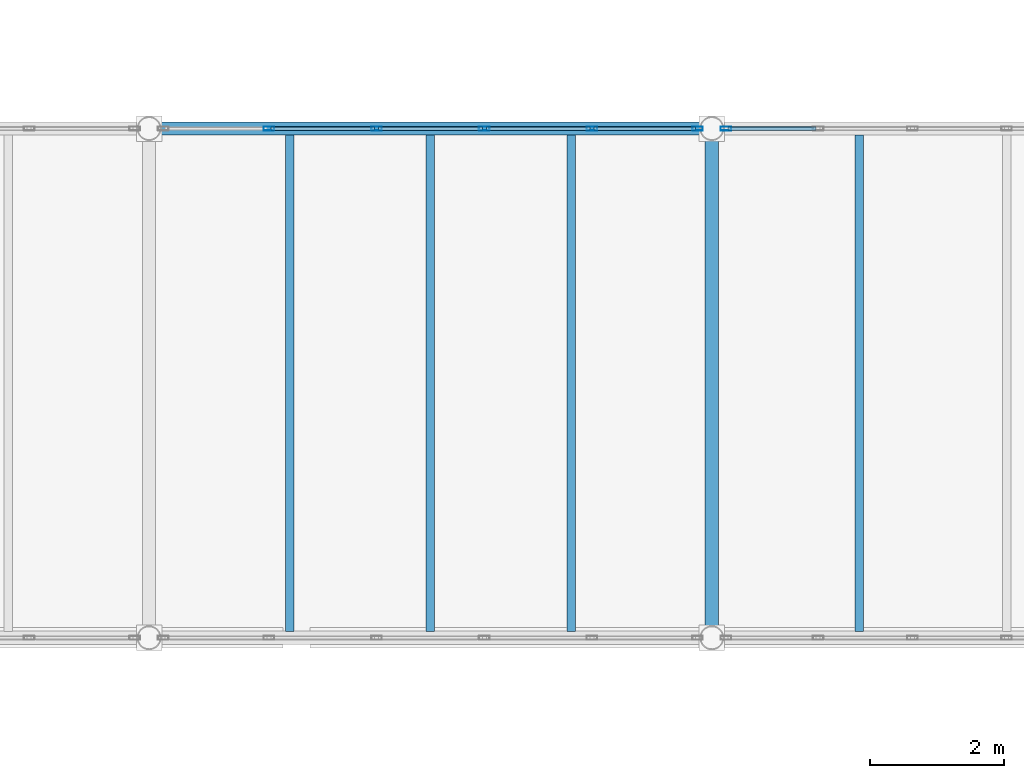
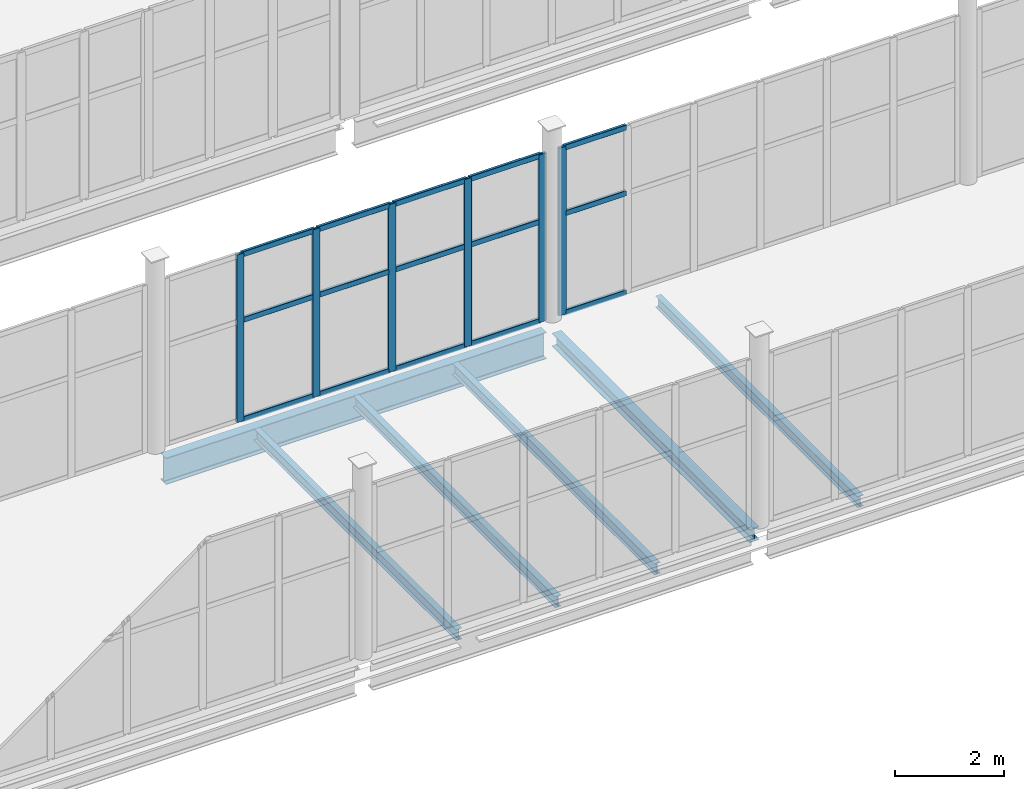
# One storey, part 52 of 172: 21 members, 6 beams, 2 elements without a shape of their own.
"""IFC4 building model written with IfcOpenShell, lengths in metres."""

from ifc_helpers import new_model, si_unit, direction, frame, origin, origin_2d, place, context, subcontext, project, spatial, hollow_rectangle, i_section, extrude, material, material_profile, profile_set, type_object, element, aggregate, save


model = new_model("IFC4")

# Units and contexts
model_context = context("Model", 3, precision=1e-05, world=origin(), true_north=direction((0.0, 1.0)))
body_context = subcontext(model_context, "Body", "Model", "MODEL_VIEW")
ifc_project = project(units=[si_unit("LENGTHUNIT", "METRE"), si_unit("AREAUNIT", "SQUARE_METRE"), si_unit("VOLUMEUNIT", "CUBIC_METRE"), si_unit("PLANEANGLEUNIT", "RADIAN"), si_unit("MASSUNIT", "GRAM", prefix="KILO")], contexts=[model_context])

# Site, building, storey
site_placement = place(None, origin())
site = spatial("IfcSite", under=ifc_project, at=site_placement, CompositionType="ELEMENT")
building_placement = place(site_placement, origin())
building = spatial("IfcBuilding", under=site, at=building_placement, Name="Shengluoqiao Park Theatre", CompositionType="ELEMENT")
storey_placement = place(building_placement, frame((0.0, 0.0, 5.39990234375)))
storey = spatial("IfcBuildingStorey", under=building, at=storey_placement, Name="L01", CompositionType="ELEMENT", Elevation=5.39990234375)

# Curtain wall, members
ifc_material_1 = material(Name="Aluminium 6063-T6", Category="aluminium")
curtain_wall_type = type_object("IfcCurtainWallType", Name="ENV-CW-BRIDGE", PredefinedType="NOTDEFINED", material=ifc_material_1)
curtain_wall_1_placement = place(storey_placement, origin())
curtain_wall_1 = element("IfcCurtainWall", 1, at=curtain_wall_1_placement, inside=storey, type_object=curtain_wall_type, Name="L01 Curtain Wall CWX-L01-0140", PredefinedType="NOTDEFINED")
ifc_material_profile_1 = material_profile(ifc_material_1, hollow_rectangle(XDim=0.06005859375, YDim=0.159912109375, WallThickness=0.00390625, InnerFilletRadius=0.00390625, OuterFilletRadius=0.008056640625, at=origin_2d()), Name="ALU MULLION 160x60x4")
ifc_profile_set_1 = profile_set([ifc_material_profile_1], Name="Aluminium 6063-T6")
member_type_1 = type_object("IfcMemberType", Name="ENV-MUL-160", PredefinedType="MULLION", material=ifc_profile_set_1)
member_1_placement = place(storey_placement, frame((79.789306640625, 60.800048828125, 0.0), z_axis=(0.0, 0.0, 1.0), x_axis=(0.0, 1.0, 0.0)))
member_1 = element("IfcMember", 2, at=member_1_placement, type_object=member_type_1, Name="CW-03 mullion 2", PredefinedType="MULLION", context=body_context, shape_type="SweptSolid", body=[
    extrude(hollow_rectangle(XDim=0.06005859375, YDim=0.159912109375, WallThickness=0.00390625, InnerFilletRadius=0.00390625, OuterFilletRadius=0.008056640625, at=origin_2d()), origin(), (0.0, 0.0, 1.0), 3.752197265625),
])
member_2_placement = place(storey_placement, frame((81.396484375, 60.800048828125, 0.0), z_axis=(0.0, 0.0, 1.0), x_axis=(0.0, 1.0, 0.0)))
member_2 = element("IfcMember", 3, at=member_2_placement, type_object=member_type_1, Name="CW-03 mullion 3", PredefinedType="MULLION", context=body_context, shape_type="SweptSolid", body=[
    extrude(hollow_rectangle(XDim=0.06005859375, YDim=0.159912109375, WallThickness=0.00390625, InnerFilletRadius=0.00390625, OuterFilletRadius=0.008056640625, at=origin_2d()), origin(), (0.0, 0.0, 1.0), 3.752197265625),
])
member_3_placement = place(storey_placement, frame((83.003662109375, 60.800048828125, 0.0), z_axis=(0.0, 0.0, 1.0), x_axis=(0.0, 1.0, 0.0)))
member_3 = element("IfcMember", 4, at=member_3_placement, type_object=member_type_1, Name="CW-03 mullion 4", PredefinedType="MULLION", context=body_context, shape_type="SweptSolid", body=[
    extrude(hollow_rectangle(XDim=0.06005859375, YDim=0.159912109375, WallThickness=0.00390625, InnerFilletRadius=0.00390625, OuterFilletRadius=0.008056640625, at=origin_2d()), origin(), (0.0, 0.0, 1.0), 3.752197265625),
])
member_4_placement = place(storey_placement, frame((84.61083984375, 60.800048828125, 0.0), z_axis=(0.0, 0.0, 1.0), x_axis=(0.0, 1.0, 0.0)))
member_4 = element("IfcMember", 5, at=member_4_placement, type_object=member_type_1, Name="CW-03 mullion 5", PredefinedType="MULLION", context=body_context, shape_type="SweptSolid", body=[
    extrude(hollow_rectangle(XDim=0.06005859375, YDim=0.159912109375, WallThickness=0.00390625, InnerFilletRadius=0.00390625, OuterFilletRadius=0.008056640625, at=origin_2d()), origin(), (0.0, 0.0, 1.0), 3.752197265625),
])
member_5_placement = place(storey_placement, frame((86.18798828125, 60.800048828125, 0.0), z_axis=(0.0, 0.0, 1.0), x_axis=(0.0, 1.0, 0.0)))
member_5 = element("IfcMember", 6, at=member_5_placement, type_object=member_type_1, Name="CW-03 mullion 6", PredefinedType="MULLION", context=body_context, shape_type="SweptSolid", body=[
    extrude(hollow_rectangle(XDim=0.06005859375, YDim=0.159912109375, WallThickness=0.00390625, InnerFilletRadius=0.00390625, OuterFilletRadius=0.008056640625, at=origin_2d()), origin(), (0.0, 0.0, 1.0), 3.752197265625),
])

# Curtain wall, member
curtain_wall_2_placement = place(storey_placement, origin())
curtain_wall_2 = element("IfcCurtainWall", 7, at=curtain_wall_2_placement, inside=storey, type_object=curtain_wall_type, Name="L01 Curtain Wall CWX-L01-0141", PredefinedType="NOTDEFINED")
member_6_placement = place(storey_placement, frame((86.612060546875, 60.800048828125, 0.0), z_axis=(0.0, 0.0, 1.0), x_axis=(0.0, 1.0, 0.0)))
member_6 = element("IfcMember", 8, at=member_6_placement, type_object=member_type_1, Name="CW-03 mullion 1", PredefinedType="MULLION", context=body_context, shape_type="SweptSolid", body=[
    extrude(hollow_rectangle(XDim=0.06005859375, YDim=0.159912109375, WallThickness=0.00390625, InnerFilletRadius=0.00390625, OuterFilletRadius=0.008056640625, at=origin_2d()), origin(), (0.0, 0.0, 1.0), 3.752197265625),
])

# Member
ifc_material_profile_2 = material_profile(ifc_material_1, hollow_rectangle(XDim=0.06005859375, YDim=0.1201171875, WallThickness=0.00390625, InnerFilletRadius=0.00390625, OuterFilletRadius=0.008056640625, at=origin_2d()), Name="ALU TRANSOM 120x60x4")
ifc_profile_set_2 = profile_set([ifc_material_profile_2], Name="Aluminium 6063-T6")
member_type_2 = type_object("IfcMemberType", Name="ENV-TRN-120", PredefinedType="USERDEFINED", material=ifc_profile_set_2)
member_7_placement = place(storey_placement, frame((79.819091796875, 60.800048828125, 0.030029296875), z_axis=(1.0, 0.0, 0.0), x_axis=(0.0, 1.0, 0.0)))
member_7 = element("IfcMember", 9, at=member_7_placement, type_object=member_type_2, Name="CW-03 transom 2.1", ObjectType="TRANSOM", PredefinedType="USERDEFINED", context=body_context, shape_type="SweptSolid", body=[
    extrude(hollow_rectangle(XDim=0.06005859375, YDim=0.1201171875, WallThickness=0.00390625, InnerFilletRadius=0.00390625, OuterFilletRadius=0.008056640625, at=origin_2d()), origin(), (0.0, 0.0, 1.0), 1.54736328125),
])

member_8_placement = place(storey_placement, frame((79.819091796875, 60.800048828125, 2.2509765625), z_axis=(1.0, 0.0, 0.0), x_axis=(0.0, 1.0, 0.0)))
member_8 = element("IfcMember", 10, at=member_8_placement, type_object=member_type_2, Name="CW-03 transom 2.2", ObjectType="TRANSOM", PredefinedType="USERDEFINED", context=body_context, shape_type="SweptSolid", body=[
    extrude(hollow_rectangle(XDim=0.06005859375, YDim=0.1201171875, WallThickness=0.00390625, InnerFilletRadius=0.00390625, OuterFilletRadius=0.008056640625, at=origin_2d()), origin(), (0.0, 0.0, 1.0), 1.54736328125),
])

member_9_placement = place(storey_placement, frame((79.819091796875, 60.800048828125, 3.72216796875), z_axis=(1.0, 0.0, 0.0), x_axis=(0.0, 1.0, 0.0)))
member_9 = element("IfcMember", 11, at=member_9_placement, type_object=member_type_2, Name="CW-03 transom 2.3", ObjectType="TRANSOM", PredefinedType="USERDEFINED", context=body_context, shape_type="SweptSolid", body=[
    extrude(hollow_rectangle(XDim=0.06005859375, YDim=0.1201171875, WallThickness=0.00390625, InnerFilletRadius=0.00390625, OuterFilletRadius=0.008056640625, at=origin_2d()), origin(), (0.0, 0.0, 1.0), 1.54736328125),
])

member_10_placement = place(storey_placement, frame((81.426513671875, 60.800048828125, 0.030029296875), z_axis=(1.0, 0.0, 0.0), x_axis=(0.0, 1.0, 0.0)))
member_10 = element("IfcMember", 12, at=member_10_placement, type_object=member_type_2, Name="CW-03 transom 3.1", ObjectType="TRANSOM", PredefinedType="USERDEFINED", context=body_context, shape_type="SweptSolid", body=[
    extrude(hollow_rectangle(XDim=0.06005859375, YDim=0.1201171875, WallThickness=0.00390625, InnerFilletRadius=0.00390625, OuterFilletRadius=0.008056640625, at=origin_2d()), origin(), (0.0, 0.0, 1.0), 1.547119140625),
])

member_11_placement = place(storey_placement, frame((81.426513671875, 60.800048828125, 2.2509765625), z_axis=(1.0, 0.0, 0.0), x_axis=(0.0, 1.0, 0.0)))
member_11 = element("IfcMember", 13, at=member_11_placement, type_object=member_type_2, Name="CW-03 transom 3.2", ObjectType="TRANSOM", PredefinedType="USERDEFINED", context=body_context, shape_type="SweptSolid", body=[
    extrude(hollow_rectangle(XDim=0.06005859375, YDim=0.1201171875, WallThickness=0.00390625, InnerFilletRadius=0.00390625, OuterFilletRadius=0.008056640625, at=origin_2d()), origin(), (0.0, 0.0, 1.0), 1.547119140625),
])

member_12_placement = place(storey_placement, frame((81.426513671875, 60.800048828125, 3.72216796875), z_axis=(1.0, 0.0, 0.0), x_axis=(0.0, 1.0, 0.0)))
member_12 = element("IfcMember", 14, at=member_12_placement, type_object=member_type_2, Name="CW-03 transom 3.3", ObjectType="TRANSOM", PredefinedType="USERDEFINED", context=body_context, shape_type="SweptSolid", body=[
    extrude(hollow_rectangle(XDim=0.06005859375, YDim=0.1201171875, WallThickness=0.00390625, InnerFilletRadius=0.00390625, OuterFilletRadius=0.008056640625, at=origin_2d()), origin(), (0.0, 0.0, 1.0), 1.547119140625),
])

member_13_placement = place(storey_placement, frame((83.03369140625, 60.800048828125, 0.030029296875), z_axis=(1.0, 0.0, 0.0), x_axis=(0.0, 1.0, 0.0)))
member_13 = element("IfcMember", 15, at=member_13_placement, type_object=member_type_2, Name="CW-03 transom 4.1", ObjectType="TRANSOM", PredefinedType="USERDEFINED", context=body_context, shape_type="SweptSolid", body=[
    extrude(hollow_rectangle(XDim=0.06005859375, YDim=0.1201171875, WallThickness=0.00390625, InnerFilletRadius=0.00390625, OuterFilletRadius=0.008056640625, at=origin_2d()), origin(), (0.0, 0.0, 1.0), 1.547119140625),
])

member_14_placement = place(storey_placement, frame((83.03369140625, 60.800048828125, 2.2509765625), z_axis=(1.0, 0.0, 0.0), x_axis=(0.0, 1.0, 0.0)))
member_14 = element("IfcMember", 16, at=member_14_placement, type_object=member_type_2, Name="CW-03 transom 4.2", ObjectType="TRANSOM", PredefinedType="USERDEFINED", context=body_context, shape_type="SweptSolid", body=[
    extrude(hollow_rectangle(XDim=0.06005859375, YDim=0.1201171875, WallThickness=0.00390625, InnerFilletRadius=0.00390625, OuterFilletRadius=0.008056640625, at=origin_2d()), origin(), (0.0, 0.0, 1.0), 1.547119140625),
])

member_15_placement = place(storey_placement, frame((83.03369140625, 60.800048828125, 3.72216796875), z_axis=(1.0, 0.0, 0.0), x_axis=(0.0, 1.0, 0.0)))
member_15 = element("IfcMember", 17, at=member_15_placement, type_object=member_type_2, Name="CW-03 transom 4.3", ObjectType="TRANSOM", PredefinedType="USERDEFINED", context=body_context, shape_type="SweptSolid", body=[
    extrude(hollow_rectangle(XDim=0.06005859375, YDim=0.1201171875, WallThickness=0.00390625, InnerFilletRadius=0.00390625, OuterFilletRadius=0.008056640625, at=origin_2d()), origin(), (0.0, 0.0, 1.0), 1.547119140625),
])

member_16_placement = place(storey_placement, frame((84.640869140625, 60.800048828125, 0.030029296875), z_axis=(1.0, 0.0, 0.0), x_axis=(0.0, 1.0, 0.0)))
member_16 = element("IfcMember", 18, at=member_16_placement, type_object=member_type_2, Name="CW-03 transom 5.1", ObjectType="TRANSOM", PredefinedType="USERDEFINED", context=body_context, shape_type="SweptSolid", body=[
    extrude(hollow_rectangle(XDim=0.06005859375, YDim=0.1201171875, WallThickness=0.00390625, InnerFilletRadius=0.00390625, OuterFilletRadius=0.008056640625, at=origin_2d()), origin(), (0.0, 0.0, 1.0), 1.51708984375),
])

member_17_placement = place(storey_placement, frame((84.640869140625, 60.800048828125, 2.2509765625), z_axis=(1.0, 0.0, 0.0), x_axis=(0.0, 1.0, 0.0)))
member_17 = element("IfcMember", 19, at=member_17_placement, type_object=member_type_2, Name="CW-03 transom 5.2", ObjectType="TRANSOM", PredefinedType="USERDEFINED", context=body_context, shape_type="SweptSolid", body=[
    extrude(hollow_rectangle(XDim=0.06005859375, YDim=0.1201171875, WallThickness=0.00390625, InnerFilletRadius=0.00390625, OuterFilletRadius=0.008056640625, at=origin_2d()), origin(), (0.0, 0.0, 1.0), 1.51708984375),
])

member_18_placement = place(storey_placement, frame((84.640869140625, 60.800048828125, 3.72216796875), z_axis=(1.0, 0.0, 0.0), x_axis=(0.0, 1.0, 0.0)))
member_18 = element("IfcMember", 20, at=member_18_placement, type_object=member_type_2, Name="CW-03 transom 5.3", ObjectType="TRANSOM", PredefinedType="USERDEFINED", context=body_context, shape_type="SweptSolid", body=[
    extrude(hollow_rectangle(XDim=0.06005859375, YDim=0.1201171875, WallThickness=0.00390625, InnerFilletRadius=0.00390625, OuterFilletRadius=0.008056640625, at=origin_2d()), origin(), (0.0, 0.0, 1.0), 1.51708984375),
])

aggregate(curtain_wall_1, [member_1, member_2, member_3, member_4, member_5, member_7, member_8, member_9, member_10, member_11, member_12, member_13, member_14, member_15, member_16, member_17, member_18])

member_19_placement = place(storey_placement, frame((86.64208984375, 60.800048828125, 0.030029296875), z_axis=(1.0, 0.0, 0.0), x_axis=(0.0, 1.0, 0.0)))
member_19 = element("IfcMember", 21, at=member_19_placement, type_object=member_type_2, Name="CW-03 transom 1.1", ObjectType="TRANSOM", PredefinedType="USERDEFINED", context=body_context, shape_type="SweptSolid", body=[
    extrude(hollow_rectangle(XDim=0.06005859375, YDim=0.1201171875, WallThickness=0.00390625, InnerFilletRadius=0.00390625, OuterFilletRadius=0.008056640625, at=origin_2d()), origin(), (0.0, 0.0, 1.0), 1.31591796875),
])

member_20_placement = place(storey_placement, frame((86.64208984375, 60.800048828125, 2.2509765625), z_axis=(1.0, 0.0, 0.0), x_axis=(0.0, 1.0, 0.0)))
member_20 = element("IfcMember", 22, at=member_20_placement, type_object=member_type_2, Name="CW-03 transom 1.2", ObjectType="TRANSOM", PredefinedType="USERDEFINED", context=body_context, shape_type="SweptSolid", body=[
    extrude(hollow_rectangle(XDim=0.06005859375, YDim=0.1201171875, WallThickness=0.00390625, InnerFilletRadius=0.00390625, OuterFilletRadius=0.008056640625, at=origin_2d()), origin(), (0.0, 0.0, 1.0), 1.31591796875),
])

member_21_placement = place(storey_placement, frame((86.64208984375, 60.800048828125, 3.72216796875), z_axis=(1.0, 0.0, 0.0), x_axis=(0.0, 1.0, 0.0)))
member_21 = element("IfcMember", 23, at=member_21_placement, type_object=member_type_2, Name="CW-03 transom 1.3", ObjectType="TRANSOM", PredefinedType="USERDEFINED", context=body_context, shape_type="SweptSolid", body=[
    extrude(hollow_rectangle(XDim=0.06005859375, YDim=0.1201171875, WallThickness=0.00390625, InnerFilletRadius=0.00390625, OuterFilletRadius=0.008056640625, at=origin_2d()), origin(), (0.0, 0.0, 1.0), 1.31591796875),
])

aggregate(curtain_wall_2, [member_6, member_19, member_20, member_21])

# Beams
ifc_material_2 = material(Name="Steel Q355", Category="steel")
ifc_material_profile_3 = material_profile(ifc_material_2, i_section(OverallWidth=0.199951171875, OverallDepth=0.2939453125, WebThickness=0.008056640625, FlangeThickness=0.011962890625, FilletRadius=0.01611328125, at=origin_2d()), Name="HM 294x200x8x12")
ifc_profile_set_3 = profile_set([ifc_material_profile_3], Name="Steel Q355")
beam_type_1 = type_object("IfcBeamType", Name="STR-BM-G-HM294", PredefinedType="BEAM", material=ifc_profile_set_3)
beam_1_placement = place(storey_placement, frame((86.39990234375, 53.3720703125, -0.35693359375), z_axis=(0.0, 1.0, 0.0), x_axis=(-1.0, 0.0, 0.0)))
element("IfcBeam", 24, at=beam_1_placement, inside=storey, type_object=beam_type_1, Name="L01 Transverse Girder 00591", PredefinedType="BEAM", context=body_context, shape_type="SweptSolid", body=[
    extrude(i_section(OverallWidth=0.199951171875, OverallDepth=0.2939453125, WebThickness=0.008056640625, FlangeThickness=0.011962890625, FilletRadius=0.01611328125, at=origin_2d()), origin(), (0.0, 0.0, 1.0), 7.255859375),
])
ifc_material_profile_4 = material_profile(ifc_material_2, i_section(OverallWidth=0.125, OverallDepth=0.25, WebThickness=0.006103515625, FlangeThickness=0.009033203125, FilletRadius=0.010009765625, at=origin_2d()), Name="HN 250x125x6x9")
ifc_profile_set_4 = profile_set([ifc_material_profile_4], Name="Steel Q355")
beam_type_2 = type_object("IfcBeamType", Name="STR-BM-J-HN250", PredefinedType="JOIST", material=ifc_profile_set_4)
for number, where, z_axis, x_axis, name in (
    (25, (80.10009765625, 53.29443359375, -0.3349609375), (0.0, 1.0, 0.0), (-1.0, 0.0, 0.0), "L01 Composite Joist 00610"),
    (26, (82.199951171875, 53.29443359375, -0.3349609375), (0.0, 1.0, 0.0), (-1.0, 0.0, 0.0), "L01 Composite Joist 00611"),
    (27, (84.300048828125, 53.29443359375, -0.3349609375), (0.0, 1.0, 0.0), (-1.0, 0.0, 0.0), "L01 Composite Joist 00612"),
    (28, (88.60009765625, 53.29443359375, -0.3349609375), (0.0, 1.0, 0.0), (-1.0, 0.0, 0.0), "L01 Composite Joist 00613"),
):
    element("IfcBeam", number, at=place(storey_placement, frame(where, z_axis=z_axis, x_axis=x_axis)), inside=storey, type_object=beam_type_2, Name=name, PredefinedType="JOIST", context=body_context, shape_type="SweptSolid", body=[
        extrude(i_section(OverallWidth=0.125, OverallDepth=0.25, WebThickness=0.006103515625, FlangeThickness=0.009033203125, FilletRadius=0.010009765625, at=origin_2d()), origin(), (0.0, 0.0, 1.0), 7.4111328125),
    ])
ifc_material_profile_5 = material_profile(ifc_material_2, i_section(OverallWidth=0.198974609375, OverallDepth=0.595947265625, WebThickness=0.010009765625, FlangeThickness=0.014892578125, FilletRadius=0.02001953125, at=origin_2d()), Name="HN 596x199x10x15")
ifc_profile_set_5 = profile_set([ifc_material_profile_5], Name="Steel Q355")
beam_type_3 = type_object("IfcBeamType", Name="STR-BM-SP-HN596", PredefinedType="SPANDREL", material=ifc_profile_set_5)
beam_2_placement = place(storey_placement, frame((78.172119140625, 60.800048828125, -0.5078125), z_axis=(1.0, 0.0, 0.0), x_axis=(0.0, 1.0, 0.0)))
element("IfcBeam", 29, at=beam_2_placement, inside=storey, type_object=beam_type_3, Name="L01 Primary Girder 00578", PredefinedType="SPANDREL", context=body_context, shape_type="SweptSolid", body=[
    extrude(i_section(OverallWidth=0.198974609375, OverallDepth=0.595947265625, WebThickness=0.010009765625, FlangeThickness=0.014892578125, FilletRadius=0.02001953125, at=origin_2d()), origin(), (0.0, 0.0, 1.0), 8.055908203125),
])

save(model, "model.ifc")
